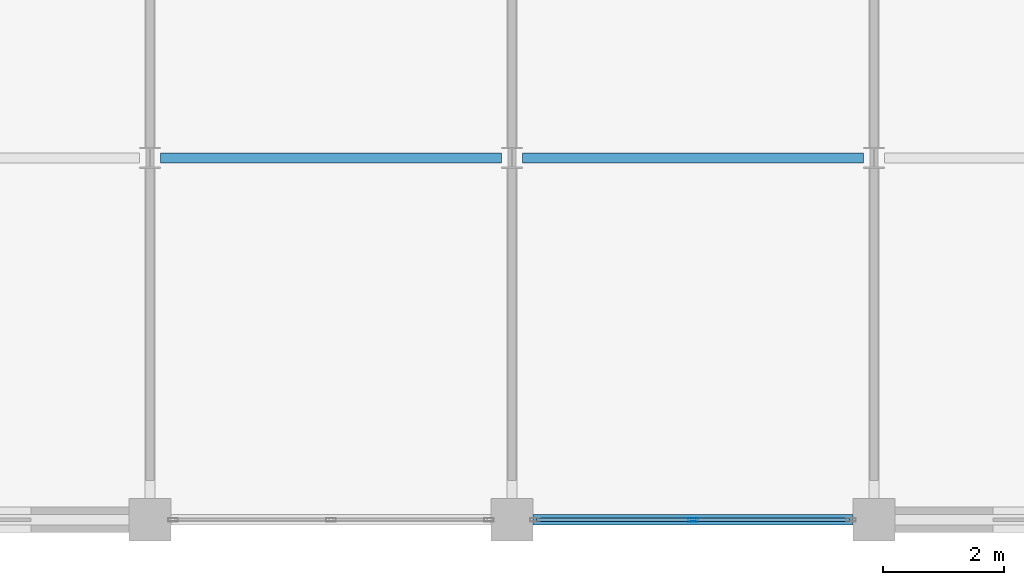
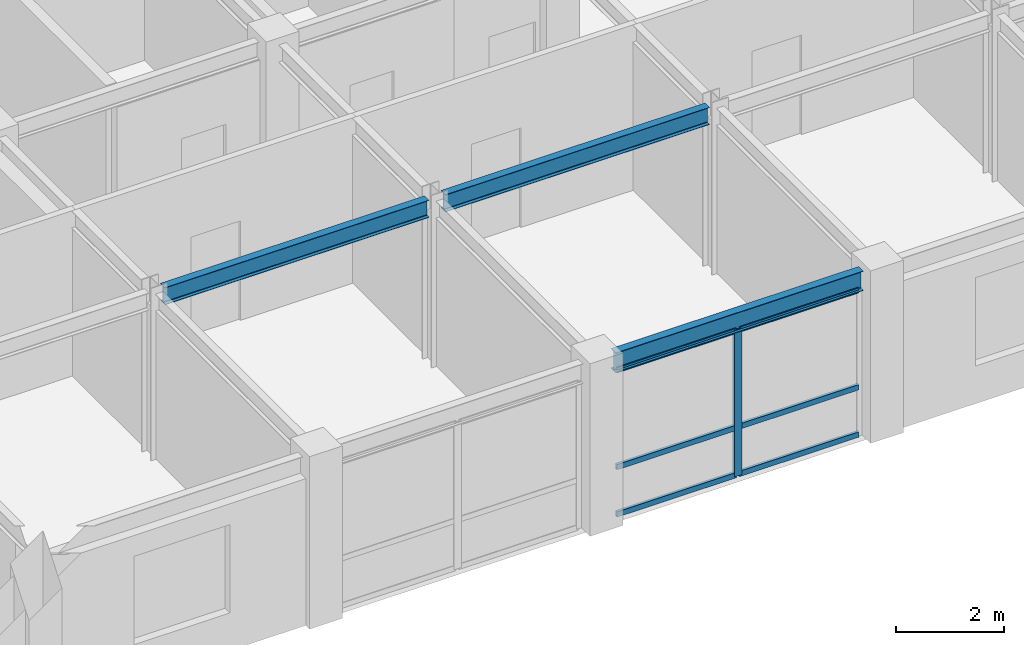
# One storey, part 5 of 15: 7 members, 3 beams, 1 element without a shape of its own.
"""IFC4 building model written with IfcOpenShell, lengths in metres."""

from ifc_helpers import new_model, si_unit, direction, frame, origin, origin_2d, place, context, subcontext, project, spatial, hollow_rectangle, i_section, extrude, material, layer, layer_set, material_profile, profile_set, type_object, element, aggregate, save


model = new_model("IFC4")

# Units and contexts
model_context = context("Model", 3, precision=1e-05, world=origin(), true_north=direction((0.0, 1.0)))
body_context = subcontext(model_context, "Body", "Model", "MODEL_VIEW")
ifc_project = project(units=[si_unit("LENGTHUNIT", "METRE"), si_unit("AREAUNIT", "SQUARE_METRE"), si_unit("VOLUMEUNIT", "CUBIC_METRE"), si_unit("PLANEANGLEUNIT", "RADIAN"), si_unit("MASSUNIT", "GRAM", prefix="KILO")], contexts=[model_context])

# Site, building, storey
site_placement = place(None, origin())
site = spatial("IfcSite", under=ifc_project, at=site_placement, CompositionType="ELEMENT")
building_placement = place(site_placement, origin())
building = spatial("IfcBuilding", under=site, at=building_placement, Name="Zlatovratsky Civic Hall", CompositionType="ELEMENT")
storey_placement = place(building_placement, frame((0.0, 0.0, 36.60009765625)))
storey = spatial("IfcBuildingStorey", under=building, at=storey_placement, Name="L09", CompositionType="ELEMENT", Elevation=36.60009765625)

# Beams
ifc_material_1 = material(Name="Steel S355", Category="steel")
ifc_material_profile_1 = material_profile(ifc_material_1, i_section(OverallWidth=0.169921875, OverallDepth=0.446044921875, WebThickness=0.007568359375, FlangeThickness=0.010986328125, FilletRadius=0.01611328125, at=origin_2d()), Name="45B1")
ifc_profile_set_1 = profile_set([ifc_material_profile_1], Name="Steel S355")
beam_type_1 = type_object("IfcBeamType", Name="Beam_Spandrel_45B1", PredefinedType="SPANDREL", material=ifc_profile_set_1)
beam_placement = place(storey_placement, frame((84.35009765625, 72.0, 3.516845703125), z_axis=(1.0, 0.0, 0.0), x_axis=(0.0, 1.0, 0.0)))
element("IfcBeam", 1, at=beam_placement, inside=storey, type_object=beam_type_1, Name="BM-4521", PredefinedType="SPANDREL", context=body_context, shape_type="SweptSolid", body=[
    extrude(i_section(OverallWidth=0.169921875, OverallDepth=0.446044921875, WebThickness=0.007568359375, FlangeThickness=0.010986328125, FilletRadius=0.01611328125, at=origin_2d()), origin(), (0.0, 0.0, 1.0), 5.2998046875),
])
ifc_material_profile_2 = material_profile(ifc_material_1, i_section(OverallWidth=0.1650390625, OverallDepth=0.39208984375, WebThickness=0.006591796875, FlangeThickness=0.009521484375, FilletRadius=0.014892578125, at=origin_2d()), Name="40B1")
ifc_profile_set_2 = profile_set([ifc_material_profile_2], Name="Steel S355")
beam_type_2 = type_object("IfcBeamType", Name="Beam_Tie_40B1", PredefinedType="BEAM", material=ifc_profile_set_2)
for number, where, z_axis, x_axis, name in (
    (2, (78.175048828125, 78.0, 3.5439453125), (1.0, 0.0, 0.0), (0.0, 1.0, 0.0), "BM-4528"),
    (3, (84.175048828125, 78.0, 3.5439453125), (1.0, 0.0, 0.0), (0.0, 1.0, 0.0), "BM-4529"),
):
    element("IfcBeam", number, at=place(storey_placement, frame(where, z_axis=z_axis, x_axis=x_axis)), inside=storey, type_object=beam_type_2, Name=name, PredefinedType="BEAM", context=body_context, shape_type="SweptSolid", body=[
        extrude(i_section(OverallWidth=0.1650390625, OverallDepth=0.39208984375, WebThickness=0.006591796875, FlangeThickness=0.009521484375, FilletRadius=0.014892578125, at=origin_2d()), origin(), (0.0, 0.0, 1.0), 5.64990234375),
    ])

# Curtain wall, members
ifc_material_2 = material(Name="Anodised bronze aluminium", Category="aluminium")
ifc_layer = layer(ifc_material_2, 0.159912109375)
ifc_layer_set = layer_set([ifc_layer], Name="Anodised bronze aluminium")
curtain_wall_type = type_object("IfcCurtainWallType", Name="CurtainWall_Bronze_5300x3320_21", PredefinedType="NOTDEFINED", material=ifc_layer_set)
curtain_wall_placement = place(storey_placement, origin())
curtain_wall = element("IfcCurtainWall", 4, at=curtain_wall_placement, inside=storey, type_object=curtain_wall_type, Name="CW-146", PredefinedType="NOTDEFINED")
ifc_material_profile_3 = material_profile(ifc_material_2, hollow_rectangle(XDim=0.06005859375, YDim=0.159912109375, WallThickness=0.00390625, at=origin_2d()), Name="ALU 60x160x4")
ifc_profile_set_3 = profile_set([ifc_material_profile_3], Name="Anodised bronze aluminium")
member_type_1 = type_object("IfcMemberType", Name="CW_Mullion_60x160", PredefinedType="MULLION", material=ifc_profile_set_3)
member_1_placement = place(storey_placement, frame((87.0, 72.0, 0.0), z_axis=(0.0, 0.0, 1.0), x_axis=(0.0, 1.0, 0.0)))
member_1 = element("IfcMember", 5, at=member_1_placement, type_object=member_type_1, Name="CW-21 mullion 2", PredefinedType="MULLION", context=body_context, shape_type="SweptSolid", body=[
    extrude(hollow_rectangle(XDim=0.06005859375, YDim=0.159912109375, WallThickness=0.00390625, at=origin_2d()), origin(), (0.0, 0.0, 1.0), 3.31982421875),
])
ifc_material_profile_4 = material_profile(ifc_material_2, hollow_rectangle(XDim=0.06005859375, YDim=0.1201171875, WallThickness=0.00390625, at=origin_2d()), Name="ALU 60x120x4")
ifc_profile_set_4 = profile_set([ifc_material_profile_4], Name="Anodised bronze aluminium")
member_type_2 = type_object("IfcMemberType", Name="CW_Transom_60x120", PredefinedType="USERDEFINED", material=ifc_profile_set_4)
member_2_placement = place(storey_placement, frame((84.409912109375, 72.0, 0.02978515625), z_axis=(1.0, 0.0, 0.0), x_axis=(0.0, 1.0, 0.0)))
member_2 = element("IfcMember", 6, at=member_2_placement, type_object=member_type_2, Name="CW-21 transom 1.1", ObjectType="TRANSOM", PredefinedType="USERDEFINED", context=body_context, shape_type="SweptSolid", body=[
    extrude(hollow_rectangle(XDim=0.06005859375, YDim=0.1201171875, WallThickness=0.00390625, at=origin_2d()), origin(), (0.0, 0.0, 1.0), 2.56005859375),
])
member_3_placement = place(storey_placement, frame((84.409912109375, 72.0, 1.099853515625), z_axis=(1.0, 0.0, 0.0), x_axis=(0.0, 1.0, 0.0)))
member_3 = element("IfcMember", 7, at=member_3_placement, type_object=member_type_2, Name="CW-21 transom 1.2", ObjectType="TRANSOM", PredefinedType="USERDEFINED", context=body_context, shape_type="SweptSolid", body=[
    extrude(hollow_rectangle(XDim=0.06005859375, YDim=0.1201171875, WallThickness=0.00390625, at=origin_2d()), origin(), (0.0, 0.0, 1.0), 2.56005859375),
])
member_4_placement = place(storey_placement, frame((84.409912109375, 72.0, 3.289794921875), z_axis=(1.0, 0.0, 0.0), x_axis=(0.0, 1.0, 0.0)))
member_4 = element("IfcMember", 8, at=member_4_placement, type_object=member_type_2, Name="CW-21 transom 1.3", ObjectType="TRANSOM", PredefinedType="USERDEFINED", context=body_context, shape_type="SweptSolid", body=[
    extrude(hollow_rectangle(XDim=0.06005859375, YDim=0.1201171875, WallThickness=0.00390625, at=origin_2d()), origin(), (0.0, 0.0, 1.0), 2.56005859375),
])
member_5_placement = place(storey_placement, frame((87.030029296875, 72.0, 0.02978515625), z_axis=(1.0, 0.0, 0.0), x_axis=(0.0, 1.0, 0.0)))
member_5 = element("IfcMember", 9, at=member_5_placement, type_object=member_type_2, Name="CW-21 transom 2.1", ObjectType="TRANSOM", PredefinedType="USERDEFINED", context=body_context, shape_type="SweptSolid", body=[
    extrude(hollow_rectangle(XDim=0.06005859375, YDim=0.1201171875, WallThickness=0.00390625, at=origin_2d()), origin(), (0.0, 0.0, 1.0), 2.56005859375),
])
member_6_placement = place(storey_placement, frame((87.030029296875, 72.0, 1.099853515625), z_axis=(1.0, 0.0, 0.0), x_axis=(0.0, 1.0, 0.0)))
member_6 = element("IfcMember", 10, at=member_6_placement, type_object=member_type_2, Name="CW-21 transom 2.2", ObjectType="TRANSOM", PredefinedType="USERDEFINED", context=body_context, shape_type="SweptSolid", body=[
    extrude(hollow_rectangle(XDim=0.06005859375, YDim=0.1201171875, WallThickness=0.00390625, at=origin_2d()), origin(), (0.0, 0.0, 1.0), 2.56005859375),
])
member_7_placement = place(storey_placement, frame((87.030029296875, 72.0, 3.289794921875), z_axis=(1.0, 0.0, 0.0), x_axis=(0.0, 1.0, 0.0)))
member_7 = element("IfcMember", 11, at=member_7_placement, type_object=member_type_2, Name="CW-21 transom 2.3", ObjectType="TRANSOM", PredefinedType="USERDEFINED", context=body_context, shape_type="SweptSolid", body=[
    extrude(hollow_rectangle(XDim=0.06005859375, YDim=0.1201171875, WallThickness=0.00390625, at=origin_2d()), origin(), (0.0, 0.0, 1.0), 2.56005859375),
])
aggregate(curtain_wall, [member_1, member_2, member_3, member_4, member_5, member_6, member_7])

save(model, "model.ifc")
